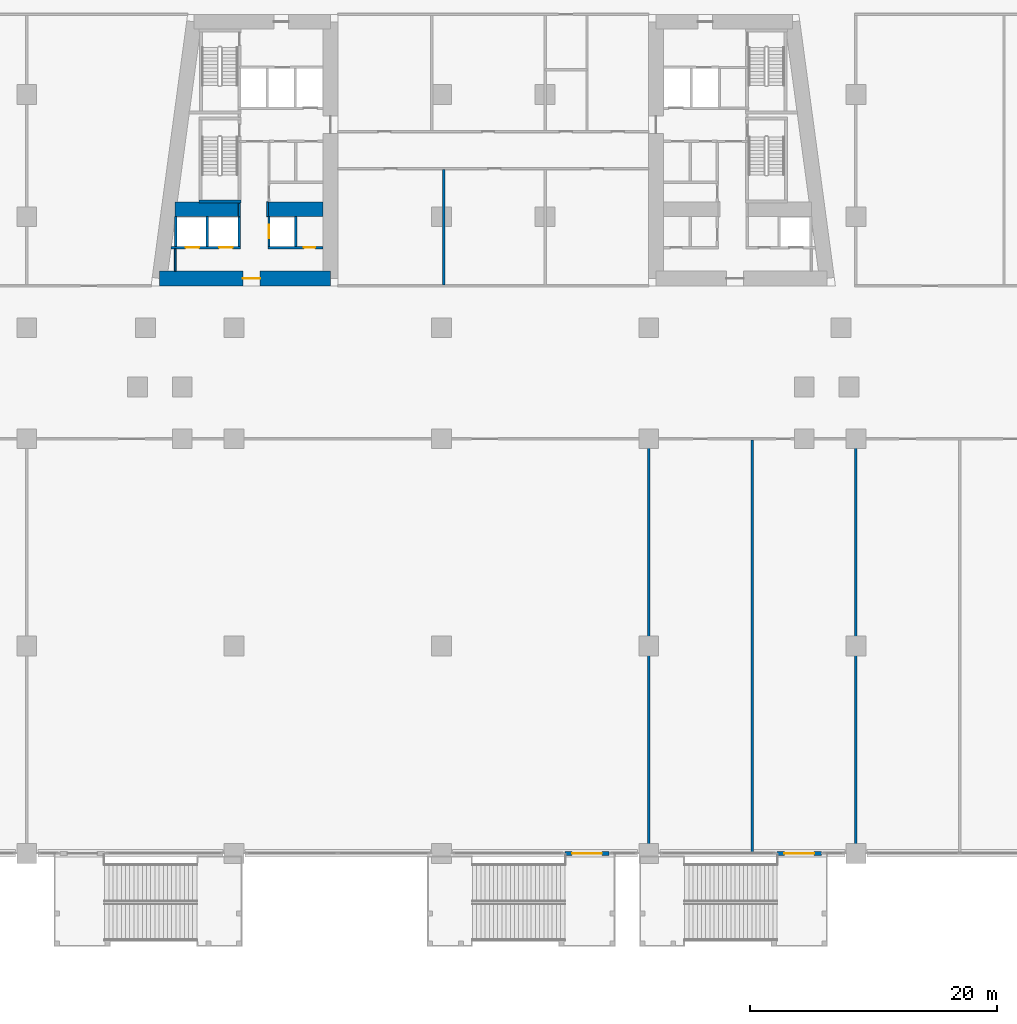
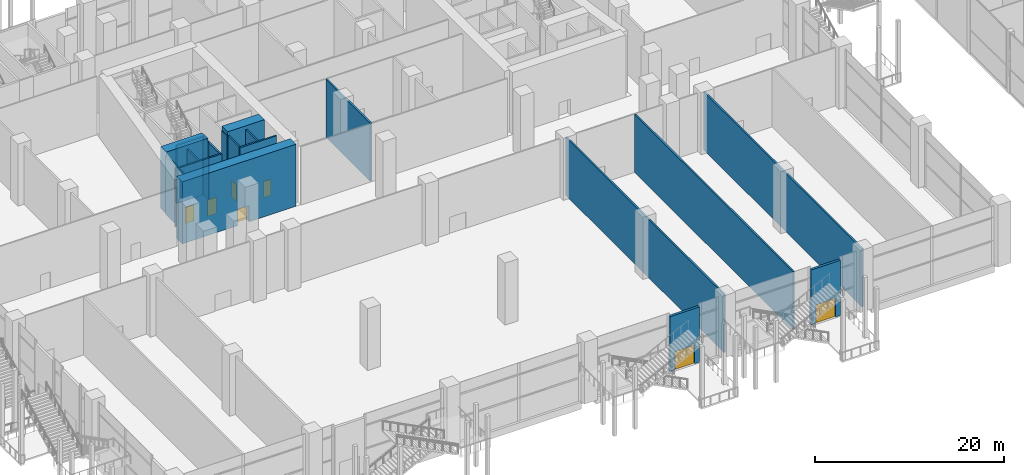
# One storey, part 25 of 52: 20 walls, 7 doors, 7 openings.
"""IFC4 building model written with IfcOpenShell, lengths in metres."""

from ifc_helpers import new_model, si_unit, direction, frame, frame_2d, origin, place, context, subcontext, project, spatial, rectangle, extrude, material, layer, layer_set, type_object, element, fill, save


model = new_model("IFC4")

# Units and contexts
model_context = context("Model", 3, precision=1e-05, world=origin(), true_north=direction((0.0, 1.0)))
body_context = subcontext(model_context, "Body", "Model", "MODEL_VIEW")
ifc_project = project(units=[si_unit("LENGTHUNIT", "METRE"), si_unit("AREAUNIT", "SQUARE_METRE"), si_unit("VOLUMEUNIT", "CUBIC_METRE"), si_unit("PLANEANGLEUNIT", "RADIAN"), si_unit("MASSUNIT", "GRAM", prefix="KILO")], contexts=[model_context])

# Site, building, storey
site_placement = place(None, origin())
site = spatial("IfcSite", under=ifc_project, at=site_placement, CompositionType="ELEMENT")
building_placement = place(site_placement, origin())
building = spatial("IfcBuilding", under=site, at=building_placement, Name="Candeia Pilgrim Tower and Theatre", CompositionType="ELEMENT")
storey_placement = place(building_placement, frame((0.0, 0.0, 9.0)))
storey = spatial("IfcBuildingStorey", under=building, at=storey_placement, Name="L01", CompositionType="ELEMENT", Elevation=9.0)

# Wall, opening, door
ifc_material_1 = material(Name="Concrete C80/95", Category="concrete")
ifc_layer_1 = layer(ifc_material_1, 1.199951171875)
ifc_layer_set_1 = layer_set([ifc_layer_1], Name="Core wall 1200 C80/95")
wall_type_1 = type_object("IfcWallType", Name="Core wall 1200 C80/95", PredefinedType="SHEAR", material=ifc_layer_set_1)
wall_1_placement = place(storey_placement, frame((100.199951171875, 111.0, 0.0), z_axis=(0.0, 0.0, 1.0), x_axis=(-1.0, 0.0, 0.0)))
wall_1 = element("IfcWall", 1, at=wall_1_placement, inside=storey, type_object=wall_type_1, Name="Core wall W3", PredefinedType="SHEAR", context=body_context, shape_type="SweptSolid", body=[
    extrude(rectangle(XDim=13.844482421875, YDim=1.199951171875, at=frame_2d((6.92236328125, 0.0))), origin(), (0.0, 0.0, 1.0), 8.0),
])
opening_1_placement = place(wall_1_placement, frame((5.693603515625, 0.0, 0.0)))
opening_1 = element("IfcOpeningElement", 2, at=opening_1_placement, cuts=wall_1, Name="Opening L01-D048", PredefinedType="OPENING", context=body_context, shape_type="SweptSolid", body=[
    extrude(rectangle(XDim=1.39990234375, YDim=2.10009765625, at=frame_2d((0.699951171875, 1.050048828125))), frame((0.0, 0.60986328125, 0.0), z_axis=(0.0, -1.0, 0.0), x_axis=(1.0, 0.0, 0.0)), (0.0, 0.0, 1.0), 1.219970703125),
])
ifc_material_2 = material(Name="Steel fire door set", Category="steel")
door_type_1 = type_object("IfcDoorType", Name="D-1400-FD60", OperationType="NOTDEFINED", PredefinedType="DOOR", material=ifc_material_2)
door_1_placement = place(opening_1_placement, origin())
door_1 = element("IfcDoor", 3, at=door_1_placement, inside=storey, type_object=door_type_1, Name="Door L01-D048", OperationType="SINGLE_SWING_LEFT", OverallHeight=2.10009765625, OverallWidth=1.39990234375, PredefinedType="DOOR", context=body_context, shape_type="SweptSolid", body=[
    extrude(rectangle(XDim=1.39990234375, YDim=2.10009765625, at=frame_2d((0.699951171875, 1.050048828125))), frame((0.0, 0.02490234375, 0.0), z_axis=(0.0, -1.0, 0.0), x_axis=(1.0, 0.0, 0.0)), (0.0, 0.0, 1.0), 0.050048828125),
])
fill(opening_1, door_1)

# Walls
wall_2_placement = place(storey_placement, frame((87.623046875, 116.60009765625, 0.0), z_axis=(0.0, 0.0, 1.0), x_axis=(1.0, 0.0, 0.0)))
element("IfcWall", 4, at=wall_2_placement, inside=storey, type_object=wall_type_1, Name="Core wall W5", PredefinedType="SHEAR", context=body_context, shape_type="SweptSolid", body=[
    extrude(rectangle(XDim=5.076904296875, YDim=1.199951171875, at=frame_2d((2.53857421875, 0.0))), origin(), (0.0, 0.0, 1.0), 8.0),
])
wall_3_placement = place(storey_placement, frame((95.10009765625, 116.60009765625, 0.0), z_axis=(0.0, 0.0, 1.0), x_axis=(1.0, 0.0, 0.0)))
element("IfcWall", 5, at=wall_3_placement, inside=storey, type_object=wall_type_1, Name="Core wall W6", PredefinedType="SHEAR", context=body_context, shape_type="SweptSolid", body=[
    extrude(rectangle(XDim=4.5, YDim=1.199951171875, at=frame_2d((2.25, 0.0))), origin(), (0.0, 0.0, 1.0), 8.0),
])

# Wall, opening, door
ifc_material_3 = material(Name="Ceramic block masonry", Category="masonry")
ifc_layer_2 = layer(ifc_material_3, 0.300048828125)
ifc_layer_set_2 = layer_set([ifc_layer_2], Name="EW2 entrance infill wall 300")
wall_type_2 = type_object("IfcWallType", Name="EW2 entrance infill wall 300", PredefinedType="SOLIDWALL", material=ifc_layer_set_2)
wall_4_placement = place(storey_placement, frame((140.0, 64.39990234375, 0.0), z_axis=(0.0, 0.0, 1.0), x_axis=(-1.0, 0.0, 0.0)))
wall_4 = element("IfcWall", 6, at=wall_4_placement, inside=storey, type_object=wall_type_2, Name="Entrance wall L01", PredefinedType="SOLIDWALL", context=body_context, shape_type="SweptSolid", body=[
    extrude(rectangle(XDim=3.60009765625, YDim=0.300048828125, at=frame_2d((1.800048828125, 0.0))), origin(), (0.0, 0.0, 1.0), 7.10009765625),
])
opening_2_placement = place(wall_4_placement, frame((0.60009765625, 0.0, 0.0)))
opening_2 = element("IfcOpeningElement", 7, at=opening_2_placement, cuts=wall_4, Name="Opening L01-ED040", PredefinedType="OPENING", context=body_context, shape_type="SweptSolid", body=[
    extrude(rectangle(XDim=2.39990234375, YDim=2.39990234375, at=frame_2d((1.199951171875, 1.199951171875))), frame((0.0, 0.16015625, 0.0), z_axis=(0.0, -1.0, 0.0), x_axis=(1.0, 0.0, 0.0)), (0.0, 0.0, 1.0), 0.320068359375),
])
ifc_material_4 = material(Name="Aluminium framed glazed door", Category="aluminium")
door_type_2 = type_object("IfcDoorType", Name="ED entrance double door 2400x2400", OperationType="DOUBLE_DOOR_DOUBLE_SWING", PredefinedType="DOOR", material=ifc_material_4)
door_2_placement = place(opening_2_placement, origin())
door_2 = element("IfcDoor", 8, at=door_2_placement, inside=storey, type_object=door_type_2, Name="Entrance door L01-ED040", OperationType="DOUBLE_DOOR_DOUBLE_SWING", OverallHeight=2.39990234375, OverallWidth=2.39990234375, PredefinedType="DOOR", context=body_context, shape_type="SweptSolid", body=[
    extrude(rectangle(XDim=2.39990234375, YDim=2.39990234375, at=frame_2d((1.199951171875, 1.199951171875))), frame((0.0, 0.02490234375, 0.0), z_axis=(0.0, -1.0, 0.0), x_axis=(1.0, 0.0, 0.0)), (0.0, 0.0, 1.0), 0.050048828125),
])
fill(opening_2, door_2)

wall_5_placement = place(storey_placement, frame((122.800048828125, 64.39990234375, 0.0), z_axis=(0.0, 0.0, 1.0), x_axis=(-1.0, 0.0, 0.0)))
wall_5 = element("IfcWall", 9, at=wall_5_placement, inside=storey, type_object=wall_type_2, Name="Entrance wall L01", PredefinedType="SOLIDWALL", context=body_context, shape_type="SweptSolid", body=[
    extrude(rectangle(XDim=3.60009765625, YDim=0.300048828125, at=frame_2d((1.800048828125, 0.0))), origin(), (0.0, 0.0, 1.0), 7.10009765625),
])
opening_3_placement = place(wall_5_placement, frame((0.60009765625, 0.0, 0.0)))
opening_3 = element("IfcOpeningElement", 10, at=opening_3_placement, cuts=wall_5, Name="Opening L01-ED041", PredefinedType="OPENING", context=body_context, shape_type="SweptSolid", body=[
    extrude(rectangle(XDim=2.39990234375, YDim=2.39990234375, at=frame_2d((1.199951171875, 1.199951171875))), frame((0.0, 0.16015625, 0.0), z_axis=(0.0, -1.0, 0.0), x_axis=(1.0, 0.0, 0.0)), (0.0, 0.0, 1.0), 0.320068359375),
])
door_3_placement = place(opening_3_placement, origin())
door_3 = element("IfcDoor", 11, at=door_3_placement, inside=storey, type_object=door_type_2, Name="Entrance door L01-ED041", OperationType="DOUBLE_DOOR_DOUBLE_SWING", OverallHeight=2.39990234375, OverallWidth=2.39990234375, PredefinedType="DOOR", context=body_context, shape_type="SweptSolid", body=[
    extrude(rectangle(XDim=2.39990234375, YDim=2.39990234375, at=frame_2d((1.199951171875, 1.199951171875))), frame((0.0, 0.02490234375, 0.0), z_axis=(0.0, -1.0, 0.0), x_axis=(1.0, 0.0, 0.0)), (0.0, 0.0, 1.0), 0.050048828125),
])
fill(opening_3, door_3)

# Walls
ifc_material_5 = material(Name="Gypsum board partition on steel studs", Category="steel")
ifc_layer_3 = layer(ifc_material_5, 0.14990234375)
ifc_layer_set_3 = layer_set([ifc_layer_3], Name="PW-150 lobby wall")
wall_type_3 = type_object("IfcWallType", Name="PW-150 lobby wall", PredefinedType="PARTITIONING", material=ifc_layer_set_3)
wall_6_placement = place(storey_placement, frame((87.631103515625, 111.60009765625, 0.0), z_axis=(0.0, 0.0, 1.0), x_axis=(0.0, 1.0, 0.0)))
element("IfcWall", 12, at=wall_6_placement, inside=storey, type_object=wall_type_3, Name="Lobby wall L01-053", PredefinedType="PARTITIONING", context=body_context, shape_type="SweptSolid", body=[
    extrude(rectangle(XDim=1.7998046875, YDim=0.14990234375, at=frame_2d((0.89990234375, 0.0))), origin(), (0.0, 0.0, 1.0), 7.5),
])
wall_7_placement = place(storey_placement, frame((92.826904296875, 116.0, 0.0), z_axis=(0.0, 0.0, 1.0), x_axis=(0.0, 1.0, 0.0)))
element("IfcWall", 13, at=wall_7_placement, inside=storey, type_object=wall_type_3, Name="Lobby wall L01-058", PredefinedType="PARTITIONING", context=body_context, shape_type="SweptSolid", body=[
    extrude(rectangle(XDim=1.074951171875, YDim=0.14990234375, at=frame_2d((0.53759765625, 0.0))), origin(), (0.0, 0.0, 1.0), 7.5),
])
wall_8_placement = place(storey_placement, frame((95.10009765625, 116.0, 0.0), z_axis=(0.0, 0.0, 1.0), x_axis=(0.0, 1.0, 0.0)))
element("IfcWall", 14, at=wall_8_placement, inside=storey, type_object=wall_type_3, Name="Lobby wall L01-063", PredefinedType="PARTITIONING", context=body_context, shape_type="SweptSolid", body=[
    extrude(rectangle(XDim=1.199951171875, YDim=0.14990234375, at=frame_2d((0.60009765625, 0.0))), origin(), (0.0, 0.0, 1.0), 7.5),
])
ifc_layer_4 = layer(ifc_material_5, 0.199951171875)
ifc_layer_set_4 = layer_set([ifc_layer_4], Name="PW-200 party wall")
wall_type_4 = type_object("IfcWallType", Name="PW-200 party wall", PredefinedType="PARTITIONING", material=ifc_layer_set_4)
wall_9_placement = place(storey_placement, frame((109.39990234375, 110.47509765625, 0.0), z_axis=(0.0, 0.0, 1.0), x_axis=(0.0, 1.0, 0.0)))
element("IfcWall", 15, at=wall_9_placement, inside=storey, type_object=wall_type_4, Name="Party wall L01-071", PredefinedType="PARTITIONING", context=body_context, shape_type="SweptSolid", body=[
    extrude(rectangle(XDim=9.349853515625, YDim=0.199951171875, at=frame_2d((4.6748046875, 0.0))), origin(), (0.0, 0.0, 1.0), 7.5),
])
for number, where, z_axis, x_axis, name in (
    (16, (126.0, 64.449951171875, 0.0), (0.0, 0.0, 1.0), (0.0, 1.0, 0.0), "Party wall L01-076"),
    (17, (134.39990234375, 64.449951171875, 0.0), (0.0, 0.0, 1.0), (0.0, 1.0, 0.0), "Party wall L01-089"),
    (18, (142.800048828125, 64.449951171875, 0.0), (0.0, 0.0, 1.0), (0.0, 1.0, 0.0), "Party wall L01-095"),
):
    element("IfcWall", number, at=place(storey_placement, frame(where, z_axis=z_axis, x_axis=x_axis)), inside=storey, type_object=wall_type_4, Name=name, PredefinedType="PARTITIONING", context=body_context, shape_type="SweptSolid", body=[
        extrude(rectangle(XDim=33.47509765625, YDim=0.199951171875, at=frame_2d((16.737548828125, 0.0))), origin(), (0.0, 0.0, 1.0), 7.5),
    ])

# Wall, openings, doors
ifc_material_6 = material(Name="Concrete C40/50", Category="concrete")
ifc_layer_5 = layer(ifc_material_6, 0.199951171875)
ifc_layer_set_5 = layer_set([ifc_layer_5], Name="SW-200 shaft wall")
wall_type_5 = type_object("IfcWallType", Name="SW-200 shaft wall", PredefinedType="PARTITIONING", material=ifc_layer_set_5)
wall_10_placement = place(storey_placement, frame((87.267333984375, 113.5, 0.0), z_axis=(0.0, 0.0, 1.0), x_axis=(1.0, 0.0, 0.0)))
wall_10 = element("IfcWall", 19, at=wall_10_placement, inside=storey, type_object=wall_type_5, Name="Shaft wall L01-005", PredefinedType="PARTITIONING", context=body_context, shape_type="SweptSolid", body=[
    extrude(rectangle(XDim=5.65966796875, YDim=0.199951171875, at=frame_2d((2.829833984375, 0.0))), origin(), (0.0, 0.0, 1.0), 7.5),
])
opening_4_placement = place(wall_10_placement, frame((1.192626953125, 0.0, 0.0)))
opening_4 = element("IfcOpeningElement", 20, at=opening_4_placement, cuts=wall_10, Name="Opening L01-LD03", PredefinedType="OPENING", context=body_context, shape_type="SweptSolid", body=[
    extrude(rectangle(XDim=1.10009765625, YDim=2.10009765625, at=frame_2d((0.550048828125, 1.050048828125))), frame((0.0, 0.10986328125, 0.0), z_axis=(0.0, -1.0, 0.0), x_axis=(1.0, 0.0, 0.0)), (0.0, 0.0, 1.0), 0.219970703125),
])
opening_5_placement = place(wall_10_placement, frame((3.90966796875, 0.0, 0.0)))
opening_5 = element("IfcOpeningElement", 21, at=opening_5_placement, cuts=wall_10, Name="Opening L01-LD04", PredefinedType="OPENING", context=body_context, shape_type="SweptSolid", body=[
    extrude(rectangle(XDim=1.10009765625, YDim=2.10009765625, at=frame_2d((0.550048828125, 1.050048828125))), frame((0.0, 0.10986328125, 0.0), z_axis=(0.0, -1.0, 0.0), x_axis=(1.0, 0.0, 0.0)), (0.0, 0.0, 1.0), 0.219970703125),
])
ifc_material_7 = material(Name="Glazed aluminium landing door", Category="aluminium")
door_type_3 = type_object("IfcDoorType", Name="LD-1100-EI120", OperationType="SLIDING_TO_LEFT", PredefinedType="DOOR", material=ifc_material_7)
door_4_placement = place(opening_4_placement, origin())
door_4 = element("IfcDoor", 22, at=door_4_placement, inside=storey, type_object=door_type_3, Name="Landing door 03 L01", OperationType="SLIDING_TO_LEFT", OverallHeight=2.10009765625, OverallWidth=1.10009765625, PredefinedType="DOOR", context=body_context, shape_type="SweptSolid", body=[
    extrude(rectangle(XDim=1.10009765625, YDim=2.10009765625, at=frame_2d((0.550048828125, 1.050048828125))), frame((0.0, 0.02490234375, 0.0), z_axis=(0.0, -1.0, 0.0), x_axis=(1.0, 0.0, 0.0)), (0.0, 0.0, 1.0), 0.050048828125),
])
fill(opening_4, door_4)
door_5_placement = place(opening_5_placement, origin())
door_5 = element("IfcDoor", 23, at=door_5_placement, inside=storey, type_object=door_type_3, Name="Landing door 04 L01", OperationType="SLIDING_TO_LEFT", OverallHeight=2.10009765625, OverallWidth=1.10009765625, PredefinedType="DOOR", context=body_context, shape_type="SweptSolid", body=[
    extrude(rectangle(XDim=1.10009765625, YDim=2.10009765625, at=frame_2d((0.550048828125, 1.050048828125))), frame((0.0, 0.02490234375, 0.0), z_axis=(0.0, -1.0, 0.0), x_axis=(1.0, 0.0, 0.0)), (0.0, 0.0, 1.0), 0.050048828125),
])
fill(opening_5, door_5)

# Wall, opening, door
wall_11_placement = place(storey_placement, frame((95.126953125, 113.5, 0.0), z_axis=(0.0, 0.0, 1.0), x_axis=(1.0, 0.0, 0.0)))
wall_11 = element("IfcWall", 24, at=wall_11_placement, inside=storey, type_object=wall_type_5, Name="Shaft wall L01-006", PredefinedType="PARTITIONING", context=body_context, shape_type="SweptSolid", body=[
    extrude(rectangle(XDim=4.47314453125, YDim=0.199951171875, at=frame_2d((2.236572265625, 0.0))), origin(), (0.0, 0.0, 1.0), 7.5),
])
opening_6_placement = place(wall_11_placement, frame((2.929931640625, 0.0, 0.0)))
opening_6 = element("IfcOpeningElement", 25, at=opening_6_placement, cuts=wall_11, Name="Opening L01-D038", PredefinedType="OPENING", context=body_context, shape_type="SweptSolid", body=[
    extrude(rectangle(XDim=0.89990234375, YDim=2.10009765625, at=frame_2d((0.449951171875, 1.050048828125))), frame((0.0, 0.10986328125, 0.0), z_axis=(0.0, -1.0, 0.0), x_axis=(1.0, 0.0, 0.0)), (0.0, 0.0, 1.0), 0.219970703125),
])
door_type_4 = type_object("IfcDoorType", Name="D-900-FD60", OperationType="NOTDEFINED", PredefinedType="DOOR", material=ifc_material_2)
door_6_placement = place(opening_6_placement, origin())
door_6 = element("IfcDoor", 26, at=door_6_placement, inside=storey, type_object=door_type_4, Name="Door L01-D038", OperationType="SINGLE_SWING_RIGHT", OverallHeight=2.10009765625, OverallWidth=0.89990234375, PredefinedType="DOOR", context=body_context, shape_type="SweptSolid", body=[
    extrude(rectangle(XDim=0.89990234375, YDim=2.10009765625, at=frame_2d((0.449951171875, 1.050048828125))), frame((0.0, 0.02490234375, 0.0), z_axis=(0.0, -1.0, 0.0), x_axis=(1.0, 0.0, 0.0)), (0.0, 0.0, 1.0), 0.050048828125),
])
fill(opening_6, door_6)

# Walls
for number, where, z_axis, x_axis, name in (
    (27, (87.653076171875, 113.60009765625, 0.0), (0.0, 0.0, 1.0), (0.0, 1.0, 0.0), "Shaft wall L01-052"),
    (28, (90.22900390625, 113.60009765625, 0.0), (0.0, 0.0, 1.0), (0.0, 1.0, 0.0), "Shaft wall L01-056"),
    (29, (92.826904296875, 113.60009765625, 0.0), (0.0, 0.0, 1.0), (0.0, 1.0, 0.0), "Shaft wall L01-057"),
):
    element("IfcWall", number, at=place(storey_placement, frame(where, z_axis=z_axis, x_axis=x_axis)), inside=storey, type_object=wall_type_5, Name=name, PredefinedType="PARTITIONING", context=body_context, shape_type="SweptSolid", body=[
        extrude(rectangle(XDim=2.39990234375, YDim=0.199951171875, at=frame_2d((1.199951171875, 0.0))), origin(), (0.0, 0.0, 1.0), 7.5),
    ])

# Wall, opening, door
wall_12_placement = place(storey_placement, frame((95.22705078125, 113.60009765625, 0.0), z_axis=(0.0, 0.0, 1.0), x_axis=(0.0, 1.0, 0.0)))
wall_12 = element("IfcWall", 30, at=wall_12_placement, inside=storey, type_object=wall_type_5, Name="Shaft wall L01-064", PredefinedType="PARTITIONING", context=body_context, shape_type="SweptSolid", body=[
    extrude(rectangle(XDim=2.39990234375, YDim=0.199951171875, at=frame_2d((1.199951171875, 0.0))), origin(), (0.0, 0.0, 1.0), 7.5),
])
opening_7_placement = place(wall_12_placement, frame((0.669921875, 0.0, 0.0)))
opening_7 = element("IfcOpeningElement", 31, at=opening_7_placement, cuts=wall_12, Name="Opening L01-LD05", PredefinedType="OPENING", context=body_context, shape_type="SweptSolid", body=[
    extrude(rectangle(XDim=1.10009765625, YDim=2.10009765625, at=frame_2d((0.550048828125, 1.050048828125))), frame((0.0, 0.10986328125, 0.0), z_axis=(0.0, -1.0, 0.0), x_axis=(1.0, 0.0, 0.0)), (0.0, 0.0, 1.0), 0.219970703125),
])
door_7_placement = place(opening_7_placement, origin())
door_7 = element("IfcDoor", 32, at=door_7_placement, inside=storey, type_object=door_type_3, Name="Landing door 05 L01", OperationType="SLIDING_TO_LEFT", OverallHeight=2.10009765625, OverallWidth=1.10009765625, PredefinedType="DOOR", context=body_context, shape_type="SweptSolid", body=[
    extrude(rectangle(XDim=1.10009765625, YDim=2.10009765625, at=frame_2d((0.550048828125, 1.050048828125))), frame((0.0, 0.02490234375, 0.0), z_axis=(0.0, -1.0, 0.0), x_axis=(1.0, 0.0, 0.0)), (0.0, 0.0, 1.0), 0.050048828125),
])
fill(opening_7, door_7)

# Walls
wall_13_placement = place(storey_placement, frame((97.41357421875, 113.60009765625, 0.0), z_axis=(0.0, 0.0, 1.0), x_axis=(0.0, 1.0, 0.0)))
element("IfcWall", 33, at=wall_13_placement, inside=storey, type_object=wall_type_5, Name="Shaft wall L01-067", PredefinedType="PARTITIONING", context=body_context, shape_type="SweptSolid", body=[
    extrude(rectangle(XDim=2.39990234375, YDim=0.199951171875, at=frame_2d((1.199951171875, 0.0))), origin(), (0.0, 0.0, 1.0), 7.5),
])
ifc_layer_6 = layer(ifc_material_6, 0.25)
ifc_layer_set_6 = layer_set([ifc_layer_6], Name="SW-250 stair wall")
wall_type_6 = type_object("IfcWallType", Name="SW-250 stair wall", PredefinedType="PARTITIONING", material=ifc_layer_set_6)
wall_14_placement = place(storey_placement, frame((89.552001953125, 117.2451171875, 0.0), z_axis=(0.0, 0.0, 1.0), x_axis=(1.0, 0.0, 0.0)))
element("IfcWall", 34, at=wall_14_placement, inside=storey, type_object=wall_type_6, Name="Stair wall L01-009", PredefinedType="PARTITIONING", context=body_context, shape_type="SweptSolid", body=[
    extrude(rectangle(XDim=3.39990234375, YDim=0.25, at=frame_2d((1.699951171875, 0.0))), origin(), (0.0, 0.0, 1.0), 7.5),
])

save(model, "model.ifc")
